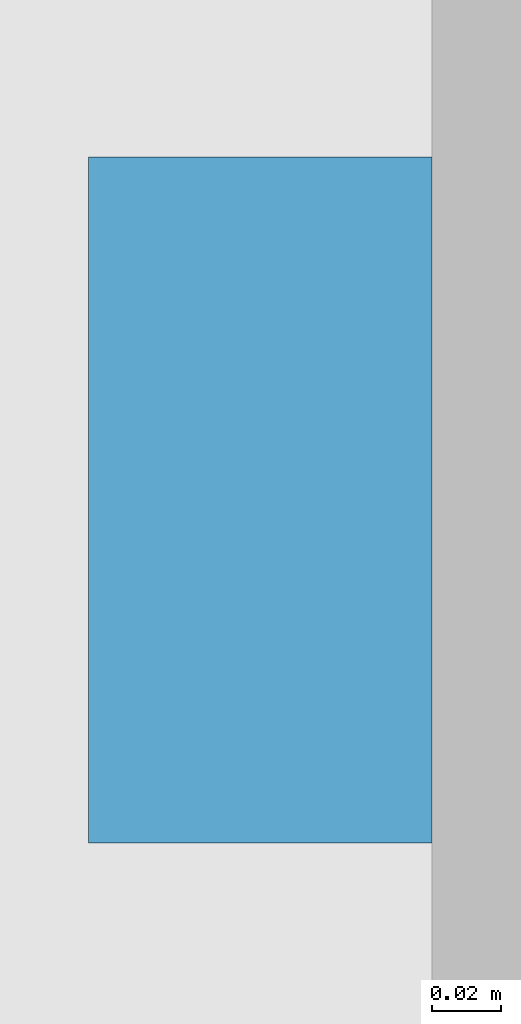
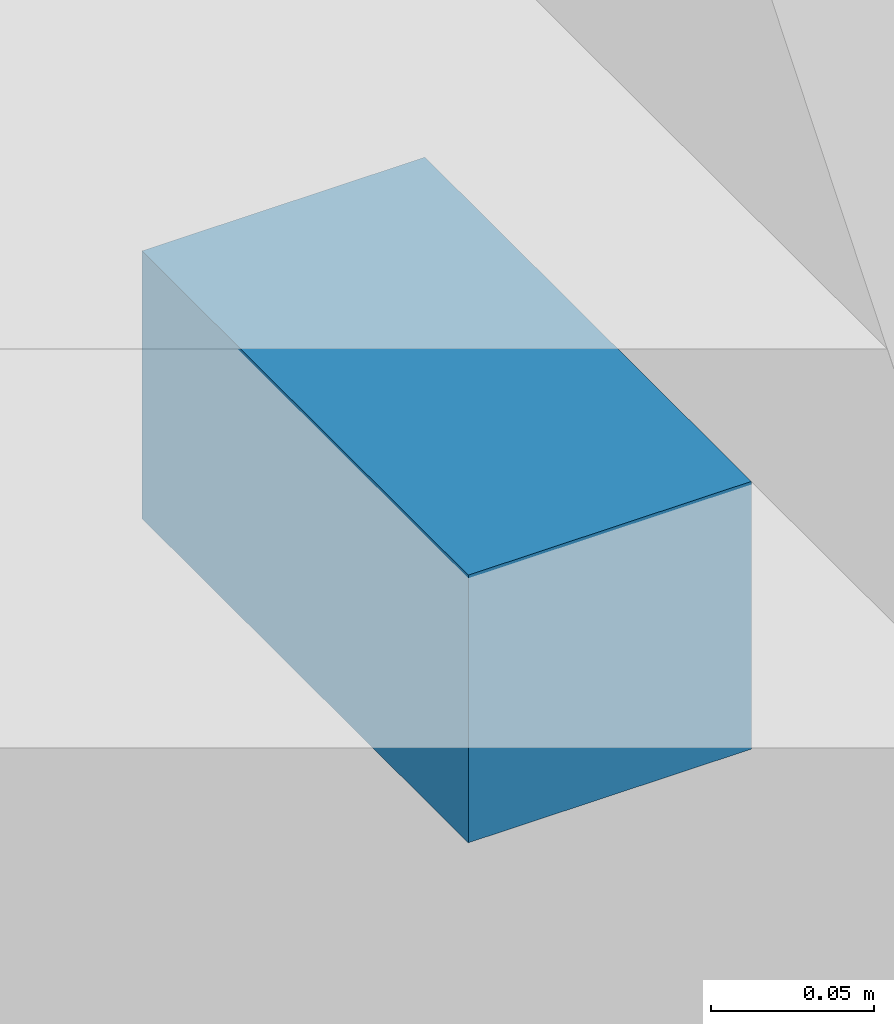
# One storey, part 15 of 17: 1 discrete accessory.
"""IFC4 building model written with IfcOpenShell, lengths in metres."""

from ifc_helpers import new_model, si_unit, direction, frame, origin, origin_2d, place, context, subcontext, project, spatial, rectangle, extrude, element, save


model = new_model("IFC4")

# Units and contexts
model_context = context("Model", 3, precision=1e-05, world=origin(), true_north=direction((0.0, 1.0)))
body_context = subcontext(model_context, "Body", "Model", "MODEL_VIEW")
ifc_project = project(units=[si_unit("LENGTHUNIT", "METRE"), si_unit("AREAUNIT", "SQUARE_METRE"), si_unit("VOLUMEUNIT", "CUBIC_METRE"), si_unit("PLANEANGLEUNIT", "RADIAN"), si_unit("MASSUNIT", "GRAM", prefix="KILO")], contexts=[model_context])

# Site, building, storey
site_placement = place(None, origin())
site = spatial("IfcSite", under=ifc_project, at=site_placement, CompositionType="ELEMENT")
building_placement = place(site_placement, origin())
building = spatial("IfcBuilding", under=site, at=building_placement, Name="Calvaro Tower", CompositionType="ELEMENT")
storey_placement = place(building_placement, frame((0.0, 0.0, 193.0)))
storey = spatial("IfcBuildingStorey", under=building, at=storey_placement, Name="L48", CompositionType="ELEMENT", Elevation=193.0)

# Discrete accessory
discrete_accessory_placement = place(storey_placement, frame((65.5, 3.60009765625, 2.349853515625), z_axis=(0.0, 0.0, 1.0), x_axis=(1.0, 0.0, 0.0)))
element("IfcDiscreteAccessory", 1, at=discrete_accessory_placement, inside=storey, Name="Brise-soleil bracket", PredefinedType="BRACKET", context=body_context, shape_type="SweptSolid", body=[
    extrude(rectangle(XDim=0.10009765625, YDim=0.199951171875, at=origin_2d()), origin(), (0.0, 0.0, 1.0), 0.10009765625),
])

save(model, "model.ifc")
